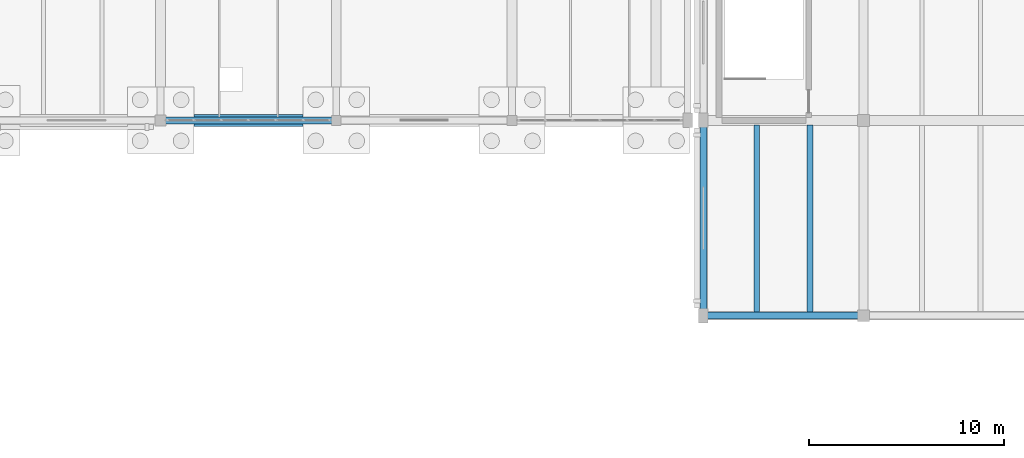
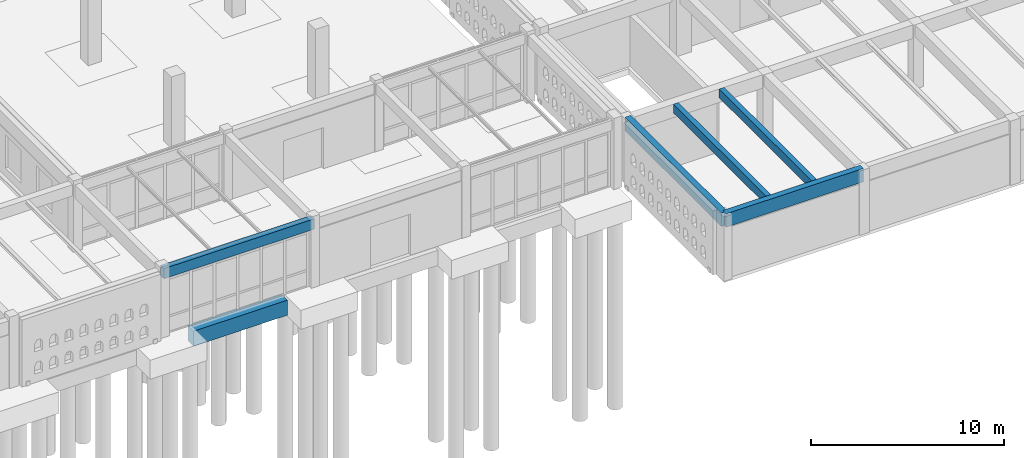
# One storey, part 28 of 186: 6 beams.
"""IFC4 building model written with IfcOpenShell, lengths in metres."""

from ifc_helpers import new_model, si_unit, direction, frame, origin, origin_2d, place, context, subcontext, project, spatial, rectangle, extrude, material, material_profile, profile_set, type_object, element, save


model = new_model("IFC4")

# Units and contexts
model_context = context("Model", 3, precision=1e-05, world=origin(), true_north=direction((0.0, 1.0)))
body_context = subcontext(model_context, "Body", "Model", "MODEL_VIEW")
ifc_project = project(units=[si_unit("LENGTHUNIT", "METRE"), si_unit("AREAUNIT", "SQUARE_METRE"), si_unit("VOLUMEUNIT", "CUBIC_METRE"), si_unit("PLANEANGLEUNIT", "RADIAN"), si_unit("MASSUNIT", "GRAM", prefix="KILO")], contexts=[model_context])

# Site, building, storey
site_placement = place(None, origin())
site = spatial("IfcSite", under=ifc_project, at=site_placement, CompositionType="ELEMENT")
building_placement = place(site_placement, origin())
building = spatial("IfcBuilding", under=site, at=building_placement, Name="Ornek Quay Market", CompositionType="ELEMENT")
storey_placement = place(building_placement, origin())
storey = spatial("IfcBuildingStorey", under=building, at=storey_placement, Name="L00", CompositionType="ELEMENT", Elevation=0.0)

# Beams
ifc_material_1 = material(Name="Concrete C35/45", Category="concrete")
ifc_material_profile_1 = material_profile(ifc_material_1, rectangle(XDim=0.35009765625, YDim=0.64990234375, at=origin_2d()), Name="RC 350x650", Category="concrete")
ifc_profile_set_1 = profile_set([ifc_material_profile_1], Name="Concrete C35/45")
beam_type_1 = type_object("IfcBeamType", Name="BM-CONC-350x650", PredefinedType="BEAM", material=ifc_profile_set_1)
beam_1_placement = place(storey_placement, frame((27.0, 20.0, 3.945068359375), z_axis=(1.0, 0.0, 0.0), x_axis=(0.0, 1.0, 0.0)))
element("IfcBeam", 1, at=beam_1_placement, inside=storey, type_object=beam_type_1, Name="Primary beam B-CN1-064", PredefinedType="BEAM", context=body_context, shape_type="SweptSolid", body=[
    extrude(rectangle(XDim=0.35009765625, YDim=0.64990234375, at=origin_2d()), origin(), (0.0, 0.0, 1.0), 9.0),
])
ifc_material_profile_2 = material_profile(ifc_material_1, rectangle(XDim=0.60009765625, YDim=0.949951171875, at=origin_2d()), Name="RC 600x950", Category="concrete")
ifc_profile_set_2 = profile_set([ifc_material_profile_2], Name="Concrete C35/45")
beam_type_2 = type_object("IfcBeamType", Name="BM-GB-600x950", PredefinedType="BEAM", material=ifc_profile_set_2)
beam_2_placement = place(storey_placement, frame((28.699951171875, 20.0, -0.675048828125), z_axis=(1.0, 0.0, 0.0), x_axis=(0.0, 1.0, 0.0)))
element("IfcBeam", 2, at=beam_2_placement, inside=storey, type_object=beam_type_2, Name="Ground tie beam GB-002", PredefinedType="BEAM", context=body_context, shape_type="SweptSolid", body=[
    extrude(rectangle(XDim=0.60009765625, YDim=0.949951171875, at=origin_2d()), origin(), (0.0, 0.0, 1.0), 5.60009765625),
])
ifc_material_profile_3 = material_profile(ifc_material_1, rectangle(XDim=0.300048828125, YDim=0.550048828125, at=origin_2d()), Name="RC 300x550", Category="concrete")
ifc_profile_set_3 = profile_set([ifc_material_profile_3], Name="Concrete C35/45")
beam_type_3 = type_object("IfcBeamType", Name="BM-SEC-300x550", PredefinedType="JOIST", material=ifc_profile_set_3)
for number, where, z_axis, x_axis, name in (
    (3, (57.533203125, 10.1669921875, 3.784912109375), (0.0, 1.0, 0.0), (-1.0, 0.0, 0.0), "Secondary joist B-SC1-033"),
    (4, (60.2666015625, 10.1669921875, 3.784912109375), (0.0, 1.0, 0.0), (-1.0, 0.0, 0.0), "Secondary joist B-SC1-034"),
):
    element("IfcBeam", number, at=place(storey_placement, frame(where, z_axis=z_axis, x_axis=x_axis)), inside=storey, type_object=beam_type_3, Name=name, PredefinedType="JOIST", context=body_context, shape_type="SweptSolid", body=[
        extrude(rectangle(XDim=0.300048828125, YDim=0.550048828125, at=origin_2d()), origin(), (0.0, 0.0, 1.0), 9.591064453125),
    ])
ifc_material_2 = material(Name="Concrete C40/50", Category="concrete")
ifc_material_profile_4 = material_profile(ifc_material_2, rectangle(XDim=0.35009765625, YDim=0.85009765625, at=origin_2d()), Name="RC 350x850", Category="concrete")
ifc_profile_set_4 = profile_set([ifc_material_profile_4], Name="Concrete C40/50")
beam_type_4 = type_object("IfcBeamType", Name="BM-SPN-350x850", PredefinedType="SPANDREL", material=ifc_profile_set_4)
beam_3_placement = place(storey_placement, frame((54.800048828125, 10.0, 3.635009765625), z_axis=(1.0, 0.0, 0.0), x_axis=(0.0, 1.0, 0.0)))
element("IfcBeam", 5, at=beam_3_placement, inside=storey, type_object=beam_type_4, Name="Primary beam B-SP1-070", PredefinedType="SPANDREL", context=body_context, shape_type="SweptSolid", body=[
    extrude(rectangle(XDim=0.35009765625, YDim=0.85009765625, at=origin_2d()), origin(), (0.0, 0.0, 1.0), 8.199951171875),
])
beam_4_placement = place(storey_placement, frame((54.800048828125, 10.0, 3.635009765625), z_axis=(0.0, 1.0, 0.0), x_axis=(-1.0, 0.0, 0.0)))
element("IfcBeam", 6, at=beam_4_placement, inside=storey, type_object=beam_type_4, Name="Primary beam B-SP1-086", PredefinedType="SPANDREL", context=body_context, shape_type="SweptSolid", body=[
    extrude(rectangle(XDim=0.35009765625, YDim=0.85009765625, at=origin_2d()), origin(), (0.0, 0.0, 1.0), 10.0),
])

save(model, "model.ifc")
